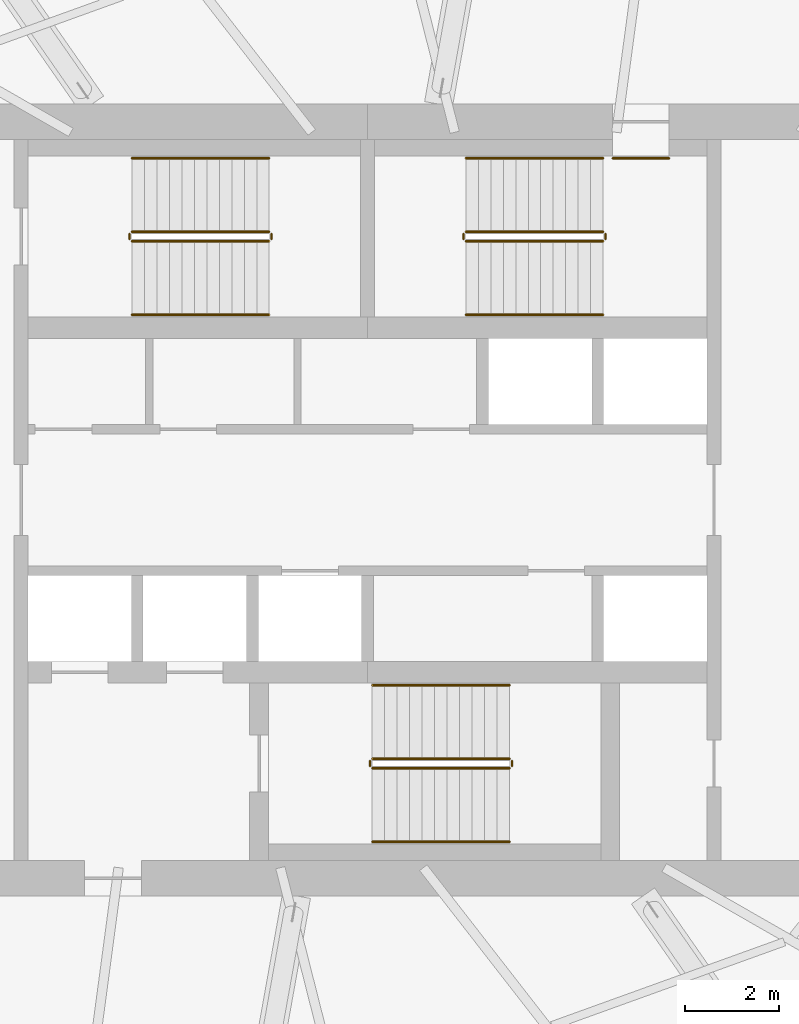
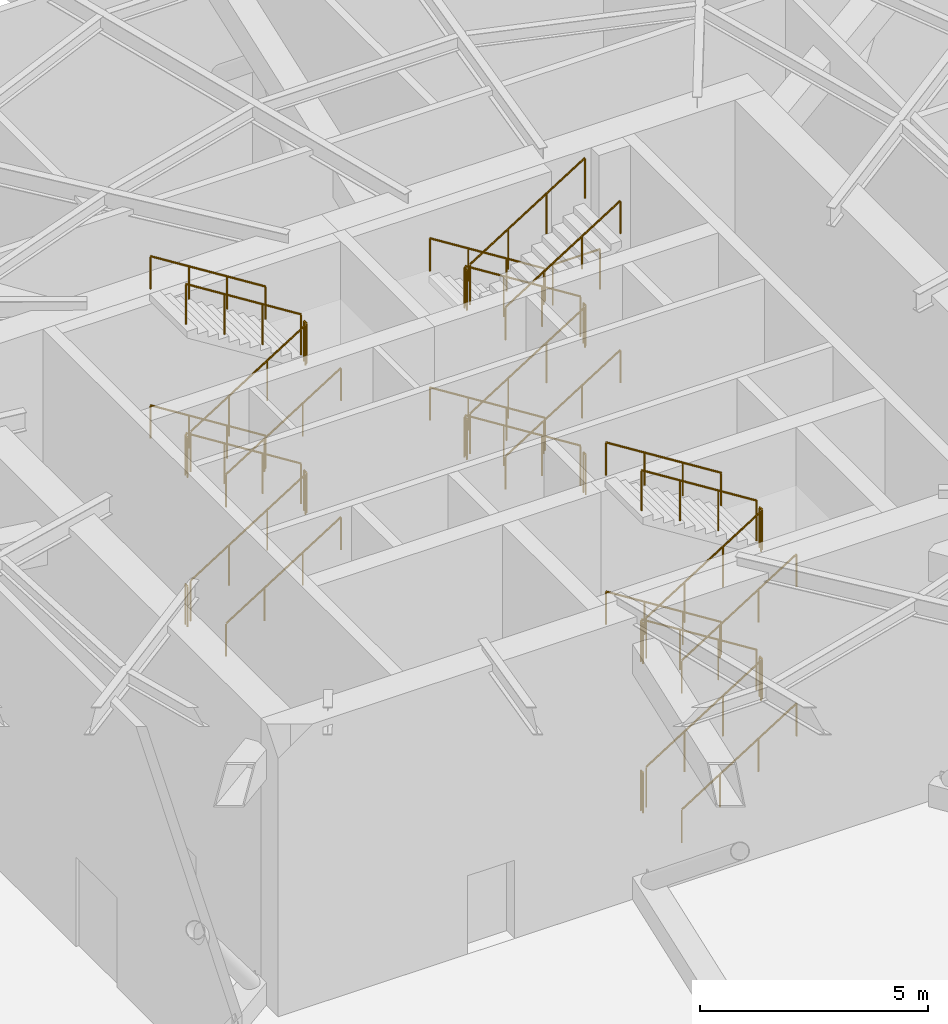
# One storey, part 14 of 15: 37 railings.
"""IFC4 building model written with IfcOpenShell, lengths in metres."""

from ifc_helpers import new_model, si_unit, direction, frame, origin, origin_2d, place, context, subcontext, project, spatial, circle, extrude, material, type_object, element, save


model = new_model("IFC4")

# Units and contexts
model_context = context("Model", 3, precision=1e-05, world=origin(), true_north=direction((0.0, 1.0)))
body_context = subcontext(model_context, "Body", "Model", "MODEL_VIEW")
ifc_project = project(units=[si_unit("LENGTHUNIT", "METRE"), si_unit("AREAUNIT", "SQUARE_METRE"), si_unit("VOLUMEUNIT", "CUBIC_METRE"), si_unit("PLANEANGLEUNIT", "RADIAN"), si_unit("MASSUNIT", "GRAM", prefix="KILO")], contexts=[model_context])

# Site, building, storey
site_placement = place(None, origin())
site = spatial("IfcSite", under=ifc_project, at=site_placement, CompositionType="ELEMENT")
building_placement = place(site_placement, origin())
building = spatial("IfcBuilding", under=site, at=building_placement, Name="Vermilion Reach Broadcast Tower", CompositionType="ELEMENT")
storey_placement = place(building_placement, frame((0.0, 0.0, 246.10009765625)))
storey = spatial("IfcBuildingStorey", under=building, at=storey_placement, Name="L61", CompositionType="ELEMENT", Elevation=246.10009765625)

# Railings
ifc_material_1 = material(Name="Stainless steel", Category="steel")
railing_type_1 = type_object("IfcRailingType", Name="Stair guard 1100", PredefinedType="GUARDRAIL", material=ifc_material_1)
railing_1_placement = place(storey_placement, frame((-11.0, 5.489990234375, 0.16650390625)))
element("IfcRailing", 1, at=railing_1_placement, inside=storey, type_object=railing_type_1, Name="L61 ST1 stair guard 1", PredefinedType="GUARDRAIL", context=body_context, shape_type="SweptSolid", body=[
    extrude(circle(Radius=0.02392578125, at=origin_2d()), frame((0.0, 0.0, 1.076171875), z_axis=(0.846481366506, 0.0, 0.53241834694), x_axis=(0.0, 1.0, 0.0)), (0.0, 0.0, 1.0), 3.443603515625),
    extrude(circle(Radius=0.02099609375, at=origin_2d()), origin(), (0.0, 0.0, 1.0), 1.052001953125),
    extrude(circle(Radius=0.02099609375, at=origin_2d()), frame((0.9716796875, 0.0, 0.611083984375)), (0.0, 0.0, 1.0), 1.052001953125),
    extrude(circle(Radius=0.02099609375, at=origin_2d()), frame((1.943359375, 0.0, 1.222412109375)), (0.0, 0.0, 1.0), 1.052001953125),
    extrude(circle(Radius=0.02099609375, at=origin_2d()), frame((2.9150390625, 0.0, 1.83349609375)), (0.0, 0.0, 1.0), 1.052001953125),
])
railing_2_placement = place(storey_placement, frame((-8.034912109375, 5.5400390625, 2.0)))
element("IfcRailing", 2, at=railing_2_placement, inside=storey, type_object=railing_type_1, Name="L61 ST1 stair guard 2", PredefinedType="GUARDRAIL", context=body_context, shape_type="SweptSolid", body=[
    extrude(circle(Radius=0.02392578125, at=origin_2d()), frame((0.0, 0.0, 1.076171875), z_axis=(0.0, 1.0, 0.0), x_axis=(-1.0, 0.0, 0.0)), (0.0, 0.0, 1.0), 0.099853515625),
    extrude(circle(Radius=0.02099609375, at=origin_2d()), origin(), (0.0, 0.0, 1.0), 1.052001953125),
    extrude(circle(Radius=0.02099609375, at=origin_2d()), frame((0.0, 0.099853515625, 0.0)), (0.0, 0.0, 1.0), 1.052001953125),
])
railing_3_placement = place(storey_placement, frame((-8.0849609375, 5.68994140625, 2.16650390625)))
element("IfcRailing", 3, at=railing_3_placement, inside=storey, type_object=railing_type_1, Name="L61 ST1 stair guard 3", PredefinedType="GUARDRAIL", context=body_context, shape_type="SweptSolid", body=[
    extrude(circle(Radius=0.02392578125, at=origin_2d()), frame((0.0, 0.0, 1.076171875), z_axis=(-0.846481366506, 0.0, 0.53241834694), x_axis=(0.0, -1.0, 0.0)), (0.0, 0.0, 1.0), 3.443603515625),
    extrude(circle(Radius=0.02099609375, at=origin_2d()), origin(), (0.0, 0.0, 1.0), 1.052001953125),
    extrude(circle(Radius=0.02099609375, at=origin_2d()), frame((-0.9716796875, 0.0, 0.611083984375)), (0.0, 0.0, 1.0), 1.052001953125),
    extrude(circle(Radius=0.02099609375, at=origin_2d()), frame((-1.943359375, 0.0, 1.222412109375)), (0.0, 0.0, 1.0), 1.052001953125),
    extrude(circle(Radius=0.02099609375, at=origin_2d()), frame((-2.9150390625, 0.0, 1.83349609375)), (0.0, 0.0, 1.0), 1.052001953125),
])
railing_4_placement = place(storey_placement, frame((-11.050048828125, 5.5400390625, 4.0)))
element("IfcRailing", 4, at=railing_4_placement, inside=storey, type_object=railing_type_1, Name="L61 ST1 stair guard 4", PredefinedType="GUARDRAIL", context=body_context, shape_type="SweptSolid", body=[
    extrude(circle(Radius=0.02392578125, at=origin_2d()), frame((0.0, 0.0, 1.076171875), z_axis=(0.0, 1.0, 0.0), x_axis=(-1.0, 0.0, 0.0)), (0.0, 0.0, 1.0), 0.099853515625),
    extrude(circle(Radius=0.02099609375, at=origin_2d()), origin(), (0.0, 0.0, 1.0), 1.052001953125),
    extrude(circle(Radius=0.02099609375, at=origin_2d()), frame((0.0, 0.099853515625, 0.0)), (0.0, 0.0, 1.0), 1.052001953125),
])
railing_5_placement = place(storey_placement, frame((-11.0, 5.489990234375, 4.16650390625)))
element("IfcRailing", 5, at=railing_5_placement, inside=storey, type_object=railing_type_1, Name="L61 ST1 stair guard 5", PredefinedType="GUARDRAIL", context=body_context, shape_type="SweptSolid", body=[
    extrude(circle(Radius=0.02392578125, at=origin_2d()), frame((0.0, 0.0, 1.076171875), z_axis=(0.846481366506, 0.0, 0.53241834694), x_axis=(0.0, 1.0, 0.0)), (0.0, 0.0, 1.0), 3.443603515625),
    extrude(circle(Radius=0.02099609375, at=origin_2d()), origin(), (0.0, 0.0, 1.0), 1.052001953125),
    extrude(circle(Radius=0.02099609375, at=origin_2d()), frame((0.9716796875, 0.0, 0.611083984375)), (0.0, 0.0, 1.0), 1.052001953125),
    extrude(circle(Radius=0.02099609375, at=origin_2d()), frame((1.943359375, 0.0, 1.222412109375)), (0.0, 0.0, 1.0), 1.052001953125),
    extrude(circle(Radius=0.02099609375, at=origin_2d()), frame((2.9150390625, 0.0, 1.83349609375)), (0.0, 0.0, 1.0), 1.052001953125),
])
railing_6_placement = place(storey_placement, frame((-8.034912109375, 5.5400390625, 6.0)))
element("IfcRailing", 6, at=railing_6_placement, inside=storey, type_object=railing_type_1, Name="L61 ST1 stair guard 6", PredefinedType="GUARDRAIL", context=body_context, shape_type="SweptSolid", body=[
    extrude(circle(Radius=0.02392578125, at=origin_2d()), frame((0.0, 0.0, 1.076171875), z_axis=(0.0, 1.0, 0.0), x_axis=(-1.0, 0.0, 0.0)), (0.0, 0.0, 1.0), 0.099853515625),
    extrude(circle(Radius=0.02099609375, at=origin_2d()), origin(), (0.0, 0.0, 1.0), 1.052001953125),
    extrude(circle(Radius=0.02099609375, at=origin_2d()), frame((0.0, 0.099853515625, 0.0)), (0.0, 0.0, 1.0), 1.052001953125),
])
railing_7_placement = place(storey_placement, frame((-8.0849609375, 5.68994140625, 6.16650390625)))
element("IfcRailing", 7, at=railing_7_placement, inside=storey, type_object=railing_type_1, Name="L61 ST1 stair guard 7", PredefinedType="GUARDRAIL", context=body_context, shape_type="SweptSolid", body=[
    extrude(circle(Radius=0.02392578125, at=origin_2d()), frame((0.0, 0.0, 1.076171875), z_axis=(-0.846481366506, 0.0, 0.53241834694), x_axis=(0.0, -1.0, 0.0)), (0.0, 0.0, 1.0), 3.443603515625),
    extrude(circle(Radius=0.02099609375, at=origin_2d()), origin(), (0.0, 0.0, 1.0), 1.052001953125),
    extrude(circle(Radius=0.02099609375, at=origin_2d()), frame((-0.9716796875, 0.0, 0.611083984375)), (0.0, 0.0, 1.0), 1.052001953125),
    extrude(circle(Radius=0.02099609375, at=origin_2d()), frame((-1.943359375, 0.0, 1.222412109375)), (0.0, 0.0, 1.0), 1.052001953125),
    extrude(circle(Radius=0.02099609375, at=origin_2d()), frame((-2.9150390625, 0.0, 1.83349609375)), (0.0, 0.0, 1.0), 1.052001953125),
])
railing_8_placement = place(storey_placement, frame((-11.050048828125, 5.5400390625, 0.0)))
element("IfcRailing", 8, at=railing_8_placement, inside=storey, type_object=railing_type_1, Name="L61 ST1 stair guard 8", PredefinedType="GUARDRAIL", context=body_context, shape_type="SweptSolid", body=[
    extrude(circle(Radius=0.02392578125, at=origin_2d()), frame((0.0, 0.0, 1.076171875), z_axis=(0.0, 1.0, 0.0), x_axis=(-1.0, 0.0, 0.0)), (0.0, 0.0, 1.0), 0.099853515625),
    extrude(circle(Radius=0.02099609375, at=origin_2d()), origin(), (0.0, 0.0, 1.0), 1.052001953125),
    extrude(circle(Radius=0.02099609375, at=origin_2d()), frame((0.0, 0.099853515625, 0.0)), (0.0, 0.0, 1.0), 1.052001953125),
])
railing_9_placement = place(storey_placement, frame((-1.0, 5.68994140625, 0.16650390625)))
element("IfcRailing", 9, at=railing_9_placement, inside=storey, type_object=railing_type_1, Name="L61 ST2 stair guard 1", PredefinedType="GUARDRAIL", context=body_context, shape_type="SweptSolid", body=[
    extrude(circle(Radius=0.02392578125, at=origin_2d()), frame((0.0, 0.0, 1.076171875), z_axis=(-0.846481366506, 0.0, 0.53241834694), x_axis=(0.0, -1.0, 0.0)), (0.0, 0.0, 1.0), 3.443603515625),
    extrude(circle(Radius=0.02099609375, at=origin_2d()), origin(), (0.0, 0.0, 1.0), 1.052001953125),
    extrude(circle(Radius=0.02099609375, at=origin_2d()), frame((-0.9716796875, 0.0, 0.611083984375)), (0.0, 0.0, 1.0), 1.052001953125),
    extrude(circle(Radius=0.02099609375, at=origin_2d()), frame((-1.943359375, 0.0, 1.222412109375)), (0.0, 0.0, 1.0), 1.052001953125),
    extrude(circle(Radius=0.02099609375, at=origin_2d()), frame((-2.9150390625, 0.0, 1.83349609375)), (0.0, 0.0, 1.0), 1.052001953125),
])
railing_10_placement = place(storey_placement, frame((-3.965087890625, 5.639892578125, 2.0)))
element("IfcRailing", 10, at=railing_10_placement, inside=storey, type_object=railing_type_1, Name="L61 ST2 stair guard 2", PredefinedType="GUARDRAIL", context=body_context, shape_type="SweptSolid", body=[
    extrude(circle(Radius=0.02392578125, at=origin_2d()), frame((0.0, 0.0, 1.076171875), z_axis=(0.0, -1.0, 0.0), x_axis=(1.0, 0.0, 0.0)), (0.0, 0.0, 1.0), 0.099853515625),
    extrude(circle(Radius=0.02099609375, at=origin_2d()), origin(), (0.0, 0.0, 1.0), 1.052001953125),
    extrude(circle(Radius=0.02099609375, at=origin_2d()), frame((0.0, -0.099853515625, 0.0)), (0.0, 0.0, 1.0), 1.052001953125),
])
railing_11_placement = place(storey_placement, frame((-3.9150390625, 5.489990234375, 2.16650390625)))
element("IfcRailing", 11, at=railing_11_placement, inside=storey, type_object=railing_type_1, Name="L61 ST2 stair guard 3", PredefinedType="GUARDRAIL", context=body_context, shape_type="SweptSolid", body=[
    extrude(circle(Radius=0.02392578125, at=origin_2d()), frame((0.0, 0.0, 1.076171875), z_axis=(0.846481366506, 0.0, 0.53241834694), x_axis=(0.0, 1.0, 0.0)), (0.0, 0.0, 1.0), 3.443603515625),
    extrude(circle(Radius=0.02099609375, at=origin_2d()), origin(), (0.0, 0.0, 1.0), 1.052001953125),
    extrude(circle(Radius=0.02099609375, at=origin_2d()), frame((0.9716796875, 0.0, 0.611083984375)), (0.0, 0.0, 1.0), 1.052001953125),
    extrude(circle(Radius=0.02099609375, at=origin_2d()), frame((1.943359375, 0.0, 1.222412109375)), (0.0, 0.0, 1.0), 1.052001953125),
    extrude(circle(Radius=0.02099609375, at=origin_2d()), frame((2.9150390625, 0.0, 1.83349609375)), (0.0, 0.0, 1.0), 1.052001953125),
])
railing_12_placement = place(storey_placement, frame((-0.949951171875, 5.639892578125, 4.0)))
element("IfcRailing", 12, at=railing_12_placement, inside=storey, type_object=railing_type_1, Name="L61 ST2 stair guard 4", PredefinedType="GUARDRAIL", context=body_context, shape_type="SweptSolid", body=[
    extrude(circle(Radius=0.02392578125, at=origin_2d()), frame((0.0, 0.0, 1.076171875), z_axis=(0.0, -1.0, 0.0), x_axis=(1.0, 0.0, 0.0)), (0.0, 0.0, 1.0), 0.099853515625),
    extrude(circle(Radius=0.02099609375, at=origin_2d()), origin(), (0.0, 0.0, 1.0), 1.052001953125),
    extrude(circle(Radius=0.02099609375, at=origin_2d()), frame((0.0, -0.099853515625, 0.0)), (0.0, 0.0, 1.0), 1.052001953125),
])
railing_13_placement = place(storey_placement, frame((-1.0, 5.68994140625, 4.16650390625)))
element("IfcRailing", 13, at=railing_13_placement, inside=storey, type_object=railing_type_1, Name="L61 ST2 stair guard 5", PredefinedType="GUARDRAIL", context=body_context, shape_type="SweptSolid", body=[
    extrude(circle(Radius=0.02392578125, at=origin_2d()), frame((0.0, 0.0, 1.076171875), z_axis=(-0.846481366506, 0.0, 0.53241834694), x_axis=(0.0, -1.0, 0.0)), (0.0, 0.0, 1.0), 3.443603515625),
    extrude(circle(Radius=0.02099609375, at=origin_2d()), origin(), (0.0, 0.0, 1.0), 1.052001953125),
    extrude(circle(Radius=0.02099609375, at=origin_2d()), frame((-0.9716796875, 0.0, 0.611083984375)), (0.0, 0.0, 1.0), 1.052001953125),
    extrude(circle(Radius=0.02099609375, at=origin_2d()), frame((-1.943359375, 0.0, 1.222412109375)), (0.0, 0.0, 1.0), 1.052001953125),
    extrude(circle(Radius=0.02099609375, at=origin_2d()), frame((-2.9150390625, 0.0, 1.83349609375)), (0.0, 0.0, 1.0), 1.052001953125),
])
railing_14_placement = place(storey_placement, frame((-3.965087890625, 5.639892578125, 6.0)))
element("IfcRailing", 14, at=railing_14_placement, inside=storey, type_object=railing_type_1, Name="L61 ST2 stair guard 6", PredefinedType="GUARDRAIL", context=body_context, shape_type="SweptSolid", body=[
    extrude(circle(Radius=0.02392578125, at=origin_2d()), frame((0.0, 0.0, 1.076171875), z_axis=(0.0, -1.0, 0.0), x_axis=(1.0, 0.0, 0.0)), (0.0, 0.0, 1.0), 0.099853515625),
    extrude(circle(Radius=0.02099609375, at=origin_2d()), origin(), (0.0, 0.0, 1.0), 1.052001953125),
    extrude(circle(Radius=0.02099609375, at=origin_2d()), frame((0.0, -0.099853515625, 0.0)), (0.0, 0.0, 1.0), 1.052001953125),
])
railing_15_placement = place(storey_placement, frame((-3.9150390625, 5.489990234375, 6.16650390625)))
element("IfcRailing", 15, at=railing_15_placement, inside=storey, type_object=railing_type_1, Name="L61 ST2 stair guard 7", PredefinedType="GUARDRAIL", context=body_context, shape_type="SweptSolid", body=[
    extrude(circle(Radius=0.02392578125, at=origin_2d()), frame((0.0, 0.0, 1.076171875), z_axis=(0.846481366506, 0.0, 0.53241834694), x_axis=(0.0, 1.0, 0.0)), (0.0, 0.0, 1.0), 3.443603515625),
    extrude(circle(Radius=0.02099609375, at=origin_2d()), origin(), (0.0, 0.0, 1.0), 1.052001953125),
    extrude(circle(Radius=0.02099609375, at=origin_2d()), frame((0.9716796875, 0.0, 0.611083984375)), (0.0, 0.0, 1.0), 1.052001953125),
    extrude(circle(Radius=0.02099609375, at=origin_2d()), frame((1.943359375, 0.0, 1.222412109375)), (0.0, 0.0, 1.0), 1.052001953125),
    extrude(circle(Radius=0.02099609375, at=origin_2d()), frame((2.9150390625, 0.0, 1.83349609375)), (0.0, 0.0, 1.0), 1.052001953125),
])
railing_16_placement = place(storey_placement, frame((-0.949951171875, 5.639892578125, 0.0)))
element("IfcRailing", 16, at=railing_16_placement, inside=storey, type_object=railing_type_1, Name="L61 ST2 stair guard 8", PredefinedType="GUARDRAIL", context=body_context, shape_type="SweptSolid", body=[
    extrude(circle(Radius=0.02392578125, at=origin_2d()), frame((0.0, 0.0, 1.076171875), z_axis=(0.0, -1.0, 0.0), x_axis=(1.0, 0.0, 0.0)), (0.0, 0.0, 1.0), 0.099853515625),
    extrude(circle(Radius=0.02099609375, at=origin_2d()), origin(), (0.0, 0.0, 1.0), 1.052001953125),
    extrude(circle(Radius=0.02099609375, at=origin_2d()), frame((0.0, -0.099853515625, 0.0)), (0.0, 0.0, 1.0), 1.052001953125),
])
railing_17_placement = place(storey_placement, frame((-0.800048828125, 7.25, 4.0)))
element("IfcRailing", 17, at=railing_17_placement, inside=storey, type_object=railing_type_1, Name="L61 ST2 doorway guard", PredefinedType="GUARDRAIL", context=body_context, shape_type="SweptSolid", body=[
    extrude(circle(Radius=0.02392578125, at=origin_2d()), frame((0.0, 0.0, 1.076171875), z_axis=(1.0, 0.0, 0.0), x_axis=(0.0, 1.0, 0.0)), (0.0, 0.0, 1.0), 1.199951171875),
    extrude(circle(Radius=0.02099609375, at=origin_2d()), origin(), (0.0, 0.0, 1.0), 1.052001953125),
    extrude(circle(Radius=0.02099609375, at=origin_2d()), frame((1.199951171875, 0.0, 0.0)), (0.0, 0.0, 1.0), 1.052001953125),
])
railing_18_placement = place(storey_placement, frame((-5.89990234375, -5.68994140625, 0.16650390625)))
element("IfcRailing", 18, at=railing_18_placement, inside=storey, type_object=railing_type_1, Name="L61 ST3 stair guard 1", PredefinedType="GUARDRAIL", context=body_context, shape_type="SweptSolid", body=[
    extrude(circle(Radius=0.02392578125, at=origin_2d()), frame((0.0, 0.0, 1.076171875), z_axis=(0.846461268258, 0.0, 0.532450299407), x_axis=(0.0, 1.0, 0.0)), (0.0, 0.0, 1.0), 3.443603515625),
    extrude(circle(Radius=0.02099609375, at=origin_2d()), origin(), (0.0, 0.0, 1.0), 1.052001953125),
    extrude(circle(Radius=0.02099609375, at=origin_2d()), frame((0.9716796875, 0.0, 0.611083984375)), (0.0, 0.0, 1.0), 1.052001953125),
    extrude(circle(Radius=0.02099609375, at=origin_2d()), frame((1.943115234375, 0.0, 1.222412109375)), (0.0, 0.0, 1.0), 1.052001953125),
    extrude(circle(Radius=0.02099609375, at=origin_2d()), frame((2.914794921875, 0.0, 1.83349609375)), (0.0, 0.0, 1.0), 1.052001953125),
])
railing_19_placement = place(storey_placement, frame((-2.93505859375, -5.639892578125, 2.0)))
element("IfcRailing", 19, at=railing_19_placement, inside=storey, type_object=railing_type_1, Name="L61 ST3 stair guard 2", PredefinedType="GUARDRAIL", context=body_context, shape_type="SweptSolid", body=[
    extrude(circle(Radius=0.02392578125, at=origin_2d()), frame((0.0, 0.0, 1.076171875), z_axis=(0.0, 1.0, 0.0), x_axis=(-1.0, 0.0, 0.0)), (0.0, 0.0, 1.0), 0.099853515625),
    extrude(circle(Radius=0.02099609375, at=origin_2d()), origin(), (0.0, 0.0, 1.0), 1.052001953125),
    extrude(circle(Radius=0.02099609375, at=origin_2d()), frame((0.0, 0.099853515625, 0.0)), (0.0, 0.0, 1.0), 1.052001953125),
])
railing_20_placement = place(storey_placement, frame((-2.985107421875, -5.489990234375, 2.16650390625)))
element("IfcRailing", 20, at=railing_20_placement, inside=storey, type_object=railing_type_1, Name="L61 ST3 stair guard 3", PredefinedType="GUARDRAIL", context=body_context, shape_type="SweptSolid", body=[
    extrude(circle(Radius=0.02392578125, at=origin_2d()), frame((0.0, 0.0, 1.076171875), z_axis=(-0.846461268258, 0.0, 0.532450299407), x_axis=(0.0, -1.0, 0.0)), (0.0, 0.0, 1.0), 3.443603515625),
    extrude(circle(Radius=0.02099609375, at=origin_2d()), origin(), (0.0, 0.0, 1.0), 1.052001953125),
    extrude(circle(Radius=0.02099609375, at=origin_2d()), frame((-0.9716796875, 0.0, 0.611083984375)), (0.0, 0.0, 1.0), 1.052001953125),
    extrude(circle(Radius=0.02099609375, at=origin_2d()), frame((-1.943115234375, 0.0, 1.222412109375)), (0.0, 0.0, 1.0), 1.052001953125),
    extrude(circle(Radius=0.02099609375, at=origin_2d()), frame((-2.914794921875, 0.0, 1.83349609375)), (0.0, 0.0, 1.0), 1.052001953125),
])
railing_21_placement = place(storey_placement, frame((-5.949951171875, -5.639892578125, 4.0)))
element("IfcRailing", 21, at=railing_21_placement, inside=storey, type_object=railing_type_1, Name="L61 ST3 stair guard 4", PredefinedType="GUARDRAIL", context=body_context, shape_type="SweptSolid", body=[
    extrude(circle(Radius=0.02392578125, at=origin_2d()), frame((0.0, 0.0, 1.076171875), z_axis=(0.0, 1.0, 0.0), x_axis=(-1.0, 0.0, 0.0)), (0.0, 0.0, 1.0), 0.099853515625),
    extrude(circle(Radius=0.02099609375, at=origin_2d()), origin(), (0.0, 0.0, 1.0), 1.052001953125),
    extrude(circle(Radius=0.02099609375, at=origin_2d()), frame((0.0, 0.099853515625, 0.0)), (0.0, 0.0, 1.0), 1.052001953125),
])
railing_22_placement = place(storey_placement, frame((-5.89990234375, -5.68994140625, 4.16650390625)))
element("IfcRailing", 22, at=railing_22_placement, inside=storey, type_object=railing_type_1, Name="L61 ST3 stair guard 5", PredefinedType="GUARDRAIL", context=body_context, shape_type="SweptSolid", body=[
    extrude(circle(Radius=0.02392578125, at=origin_2d()), frame((0.0, 0.0, 1.076171875), z_axis=(0.846461268258, 0.0, 0.532450299407), x_axis=(0.0, 1.0, 0.0)), (0.0, 0.0, 1.0), 3.443603515625),
    extrude(circle(Radius=0.02099609375, at=origin_2d()), origin(), (0.0, 0.0, 1.0), 1.052001953125),
    extrude(circle(Radius=0.02099609375, at=origin_2d()), frame((0.9716796875, 0.0, 0.611083984375)), (0.0, 0.0, 1.0), 1.052001953125),
    extrude(circle(Radius=0.02099609375, at=origin_2d()), frame((1.943115234375, 0.0, 1.222412109375)), (0.0, 0.0, 1.0), 1.052001953125),
    extrude(circle(Radius=0.02099609375, at=origin_2d()), frame((2.914794921875, 0.0, 1.83349609375)), (0.0, 0.0, 1.0), 1.052001953125),
])
railing_23_placement = place(storey_placement, frame((-2.93505859375, -5.639892578125, 6.0)))
element("IfcRailing", 23, at=railing_23_placement, inside=storey, type_object=railing_type_1, Name="L61 ST3 stair guard 6", PredefinedType="GUARDRAIL", context=body_context, shape_type="SweptSolid", body=[
    extrude(circle(Radius=0.02392578125, at=origin_2d()), frame((0.0, 0.0, 1.076171875), z_axis=(0.0, 1.0, 0.0), x_axis=(-1.0, 0.0, 0.0)), (0.0, 0.0, 1.0), 0.099853515625),
    extrude(circle(Radius=0.02099609375, at=origin_2d()), origin(), (0.0, 0.0, 1.0), 1.052001953125),
    extrude(circle(Radius=0.02099609375, at=origin_2d()), frame((0.0, 0.099853515625, 0.0)), (0.0, 0.0, 1.0), 1.052001953125),
])
railing_24_placement = place(storey_placement, frame((-2.985107421875, -5.489990234375, 6.16650390625)))
element("IfcRailing", 24, at=railing_24_placement, inside=storey, type_object=railing_type_1, Name="L61 ST3 stair guard 7", PredefinedType="GUARDRAIL", context=body_context, shape_type="SweptSolid", body=[
    extrude(circle(Radius=0.02392578125, at=origin_2d()), frame((0.0, 0.0, 1.076171875), z_axis=(-0.846461268258, 0.0, 0.532450299407), x_axis=(0.0, -1.0, 0.0)), (0.0, 0.0, 1.0), 3.443603515625),
    extrude(circle(Radius=0.02099609375, at=origin_2d()), origin(), (0.0, 0.0, 1.0), 1.052001953125),
    extrude(circle(Radius=0.02099609375, at=origin_2d()), frame((-0.9716796875, 0.0, 0.611083984375)), (0.0, 0.0, 1.0), 1.052001953125),
    extrude(circle(Radius=0.02099609375, at=origin_2d()), frame((-1.943115234375, 0.0, 1.222412109375)), (0.0, 0.0, 1.0), 1.052001953125),
    extrude(circle(Radius=0.02099609375, at=origin_2d()), frame((-2.914794921875, 0.0, 1.83349609375)), (0.0, 0.0, 1.0), 1.052001953125),
])
railing_25_placement = place(storey_placement, frame((-5.949951171875, -5.639892578125, 0.0)))
element("IfcRailing", 25, at=railing_25_placement, inside=storey, type_object=railing_type_1, Name="L61 ST3 stair guard 8", PredefinedType="GUARDRAIL", context=body_context, shape_type="SweptSolid", body=[
    extrude(circle(Radius=0.02392578125, at=origin_2d()), frame((0.0, 0.0, 1.076171875), z_axis=(0.0, 1.0, 0.0), x_axis=(-1.0, 0.0, 0.0)), (0.0, 0.0, 1.0), 0.099853515625),
    extrude(circle(Radius=0.02099609375, at=origin_2d()), origin(), (0.0, 0.0, 1.0), 1.052001953125),
    extrude(circle(Radius=0.02099609375, at=origin_2d()), frame((0.0, 0.099853515625, 0.0)), (0.0, 0.0, 1.0), 1.052001953125),
])
ifc_material_2 = material(Name="Stainless steel", Category="steel")
railing_type_2 = type_object("IfcRailingType", Name="Stair handrail", PredefinedType="HANDRAIL", material=ifc_material_2)
railing_26_placement = place(storey_placement, frame((-11.0, 3.929931640625, 0.16650390625)))
element("IfcRailing", 26, at=railing_26_placement, inside=storey, type_object=railing_type_2, Name="L61 ST1 stair handrail 1", PredefinedType="HANDRAIL", context=body_context, shape_type="SweptSolid", body=[
    extrude(circle(Radius=0.02392578125, at=origin_2d()), frame((0.0, 0.0, 0.8759765625), z_axis=(0.846481366506, 0.0, 0.53241834694), x_axis=(0.0, 1.0, 0.0)), (0.0, 0.0, 1.0), 3.443603515625),
    extrude(circle(Radius=0.02099609375, at=origin_2d()), origin(), (0.0, 0.0, 1.0), 0.851806640625),
    extrude(circle(Radius=0.02099609375, at=origin_2d()), frame((0.9716796875, 0.0, 0.611083984375)), (0.0, 0.0, 1.0), 0.851806640625),
    extrude(circle(Radius=0.02099609375, at=origin_2d()), frame((1.943359375, 0.0, 1.222412109375)), (0.0, 0.0, 1.0), 0.851806640625),
    extrude(circle(Radius=0.02099609375, at=origin_2d()), frame((2.9150390625, 0.0, 1.83349609375)), (0.0, 0.0, 1.0), 0.851806640625),
])
railing_27_placement = place(storey_placement, frame((-8.0849609375, 7.25, 2.16650390625)))
element("IfcRailing", 27, at=railing_27_placement, inside=storey, type_object=railing_type_2, Name="L61 ST1 stair handrail 2", PredefinedType="HANDRAIL", context=body_context, shape_type="SweptSolid", body=[
    extrude(circle(Radius=0.02392578125, at=origin_2d()), frame((0.0, 0.0, 0.8759765625), z_axis=(-0.846481366506, 0.0, 0.53241834694), x_axis=(0.0, -1.0, 0.0)), (0.0, 0.0, 1.0), 3.443603515625),
    extrude(circle(Radius=0.02099609375, at=origin_2d()), origin(), (0.0, 0.0, 1.0), 0.851806640625),
    extrude(circle(Radius=0.02099609375, at=origin_2d()), frame((-0.9716796875, 0.0, 0.611083984375)), (0.0, 0.0, 1.0), 0.851806640625),
    extrude(circle(Radius=0.02099609375, at=origin_2d()), frame((-1.943359375, 0.0, 1.222412109375)), (0.0, 0.0, 1.0), 0.851806640625),
    extrude(circle(Radius=0.02099609375, at=origin_2d()), frame((-2.9150390625, 0.0, 1.83349609375)), (0.0, 0.0, 1.0), 0.851806640625),
])
railing_28_placement = place(storey_placement, frame((-11.0, 3.929931640625, 4.16650390625)))
element("IfcRailing", 28, at=railing_28_placement, inside=storey, type_object=railing_type_2, Name="L61 ST1 stair handrail 3", PredefinedType="HANDRAIL", context=body_context, shape_type="SweptSolid", body=[
    extrude(circle(Radius=0.02392578125, at=origin_2d()), frame((0.0, 0.0, 0.8759765625), z_axis=(0.846481366506, 0.0, 0.53241834694), x_axis=(0.0, 1.0, 0.0)), (0.0, 0.0, 1.0), 3.443603515625),
    extrude(circle(Radius=0.02099609375, at=origin_2d()), origin(), (0.0, 0.0, 1.0), 0.851806640625),
    extrude(circle(Radius=0.02099609375, at=origin_2d()), frame((0.9716796875, 0.0, 0.611083984375)), (0.0, 0.0, 1.0), 0.851806640625),
    extrude(circle(Radius=0.02099609375, at=origin_2d()), frame((1.943359375, 0.0, 1.222412109375)), (0.0, 0.0, 1.0), 0.851806640625),
    extrude(circle(Radius=0.02099609375, at=origin_2d()), frame((2.9150390625, 0.0, 1.83349609375)), (0.0, 0.0, 1.0), 0.851806640625),
])
for number, where, name in (
    (29, (-8.0849609375, 7.25, 6.16650390625), "L61 ST1 stair handrail 4"),
    (30, (-1.0, 7.25, 0.16650390625), "L61 ST2 stair handrail 1"),
):
    element("IfcRailing", number, at=place(storey_placement, frame(where)), inside=storey, type_object=railing_type_2, Name=name, PredefinedType="HANDRAIL", context=body_context, shape_type="SweptSolid", body=[
        extrude(circle(Radius=0.02392578125, at=origin_2d()), frame((0.0, 0.0, 0.8759765625), z_axis=(-0.846481366506, 0.0, 0.53241834694), x_axis=(0.0, -1.0, 0.0)), (0.0, 0.0, 1.0), 3.443603515625),
        extrude(circle(Radius=0.02099609375, at=origin_2d()), origin(), (0.0, 0.0, 1.0), 0.851806640625),
        extrude(circle(Radius=0.02099609375, at=origin_2d()), frame((-0.9716796875, 0.0, 0.611083984375)), (0.0, 0.0, 1.0), 0.851806640625),
        extrude(circle(Radius=0.02099609375, at=origin_2d()), frame((-1.943359375, 0.0, 1.222412109375)), (0.0, 0.0, 1.0), 0.851806640625),
        extrude(circle(Radius=0.02099609375, at=origin_2d()), frame((-2.9150390625, 0.0, 1.83349609375)), (0.0, 0.0, 1.0), 0.851806640625),
    ])
railing_29_placement = place(storey_placement, frame((-3.9150390625, 3.929931640625, 2.16650390625)))
element("IfcRailing", 31, at=railing_29_placement, inside=storey, type_object=railing_type_2, Name="L61 ST2 stair handrail 2", PredefinedType="HANDRAIL", context=body_context, shape_type="SweptSolid", body=[
    extrude(circle(Radius=0.02392578125, at=origin_2d()), frame((0.0, 0.0, 0.8759765625), z_axis=(0.846481366506, 0.0, 0.53241834694), x_axis=(0.0, 1.0, 0.0)), (0.0, 0.0, 1.0), 3.443603515625),
    extrude(circle(Radius=0.02099609375, at=origin_2d()), origin(), (0.0, 0.0, 1.0), 0.851806640625),
    extrude(circle(Radius=0.02099609375, at=origin_2d()), frame((0.9716796875, 0.0, 0.611083984375)), (0.0, 0.0, 1.0), 0.851806640625),
    extrude(circle(Radius=0.02099609375, at=origin_2d()), frame((1.943359375, 0.0, 1.222412109375)), (0.0, 0.0, 1.0), 0.851806640625),
    extrude(circle(Radius=0.02099609375, at=origin_2d()), frame((2.9150390625, 0.0, 1.83349609375)), (0.0, 0.0, 1.0), 0.851806640625),
])
railing_30_placement = place(storey_placement, frame((-1.0, 7.25, 4.16650390625)))
element("IfcRailing", 32, at=railing_30_placement, inside=storey, type_object=railing_type_2, Name="L61 ST2 stair handrail 3", PredefinedType="HANDRAIL", context=body_context, shape_type="SweptSolid", body=[
    extrude(circle(Radius=0.02392578125, at=origin_2d()), frame((0.0, 0.0, 0.8759765625), z_axis=(-0.846481366506, 0.0, 0.53241834694), x_axis=(0.0, -1.0, 0.0)), (0.0, 0.0, 1.0), 3.443603515625),
    extrude(circle(Radius=0.02099609375, at=origin_2d()), origin(), (0.0, 0.0, 1.0), 0.851806640625),
    extrude(circle(Radius=0.02099609375, at=origin_2d()), frame((-0.9716796875, 0.0, 0.611083984375)), (0.0, 0.0, 1.0), 0.851806640625),
    extrude(circle(Radius=0.02099609375, at=origin_2d()), frame((-1.943359375, 0.0, 1.222412109375)), (0.0, 0.0, 1.0), 0.851806640625),
    extrude(circle(Radius=0.02099609375, at=origin_2d()), frame((-2.9150390625, 0.0, 1.83349609375)), (0.0, 0.0, 1.0), 0.851806640625),
])
railing_31_placement = place(storey_placement, frame((-3.9150390625, 3.929931640625, 6.16650390625)))
element("IfcRailing", 33, at=railing_31_placement, inside=storey, type_object=railing_type_2, Name="L61 ST2 stair handrail 4", PredefinedType="HANDRAIL", context=body_context, shape_type="SweptSolid", body=[
    extrude(circle(Radius=0.02392578125, at=origin_2d()), frame((0.0, 0.0, 0.8759765625), z_axis=(0.846481366506, 0.0, 0.53241834694), x_axis=(0.0, 1.0, 0.0)), (0.0, 0.0, 1.0), 3.443603515625),
    extrude(circle(Radius=0.02099609375, at=origin_2d()), origin(), (0.0, 0.0, 1.0), 0.851806640625),
    extrude(circle(Radius=0.02099609375, at=origin_2d()), frame((0.9716796875, 0.0, 0.611083984375)), (0.0, 0.0, 1.0), 0.851806640625),
    extrude(circle(Radius=0.02099609375, at=origin_2d()), frame((1.943359375, 0.0, 1.222412109375)), (0.0, 0.0, 1.0), 0.851806640625),
    extrude(circle(Radius=0.02099609375, at=origin_2d()), frame((2.9150390625, 0.0, 1.83349609375)), (0.0, 0.0, 1.0), 0.851806640625),
])
railing_32_placement = place(storey_placement, frame((-5.89990234375, -7.25, 0.16650390625)))
element("IfcRailing", 34, at=railing_32_placement, inside=storey, type_object=railing_type_2, Name="L61 ST3 stair handrail 1", PredefinedType="HANDRAIL", context=body_context, shape_type="SweptSolid", body=[
    extrude(circle(Radius=0.02392578125, at=origin_2d()), frame((0.0, 0.0, 0.8759765625), z_axis=(0.846461268258, 0.0, 0.532450299407), x_axis=(0.0, 1.0, 0.0)), (0.0, 0.0, 1.0), 3.443603515625),
    extrude(circle(Radius=0.02099609375, at=origin_2d()), origin(), (0.0, 0.0, 1.0), 0.851806640625),
    extrude(circle(Radius=0.02099609375, at=origin_2d()), frame((0.9716796875, 0.0, 0.611083984375)), (0.0, 0.0, 1.0), 0.851806640625),
    extrude(circle(Radius=0.02099609375, at=origin_2d()), frame((1.943115234375, 0.0, 1.222412109375)), (0.0, 0.0, 1.0), 0.851806640625),
    extrude(circle(Radius=0.02099609375, at=origin_2d()), frame((2.914794921875, 0.0, 1.83349609375)), (0.0, 0.0, 1.0), 0.851806640625),
])
railing_33_placement = place(storey_placement, frame((-2.985107421875, -3.929931640625, 2.16650390625)))
element("IfcRailing", 35, at=railing_33_placement, inside=storey, type_object=railing_type_2, Name="L61 ST3 stair handrail 2", PredefinedType="HANDRAIL", context=body_context, shape_type="SweptSolid", body=[
    extrude(circle(Radius=0.02392578125, at=origin_2d()), frame((0.0, 0.0, 0.8759765625), z_axis=(-0.846461268258, 0.0, 0.532450299407), x_axis=(0.0, -1.0, 0.0)), (0.0, 0.0, 1.0), 3.443603515625),
    extrude(circle(Radius=0.02099609375, at=origin_2d()), origin(), (0.0, 0.0, 1.0), 0.851806640625),
    extrude(circle(Radius=0.02099609375, at=origin_2d()), frame((-0.9716796875, 0.0, 0.611083984375)), (0.0, 0.0, 1.0), 0.851806640625),
    extrude(circle(Radius=0.02099609375, at=origin_2d()), frame((-1.943115234375, 0.0, 1.222412109375)), (0.0, 0.0, 1.0), 0.851806640625),
    extrude(circle(Radius=0.02099609375, at=origin_2d()), frame((-2.914794921875, 0.0, 1.83349609375)), (0.0, 0.0, 1.0), 0.851806640625),
])
railing_34_placement = place(storey_placement, frame((-5.89990234375, -7.25, 4.16650390625)))
element("IfcRailing", 36, at=railing_34_placement, inside=storey, type_object=railing_type_2, Name="L61 ST3 stair handrail 3", PredefinedType="HANDRAIL", context=body_context, shape_type="SweptSolid", body=[
    extrude(circle(Radius=0.02392578125, at=origin_2d()), frame((0.0, 0.0, 0.8759765625), z_axis=(0.846461268258, 0.0, 0.532450299407), x_axis=(0.0, 1.0, 0.0)), (0.0, 0.0, 1.0), 3.443603515625),
    extrude(circle(Radius=0.02099609375, at=origin_2d()), origin(), (0.0, 0.0, 1.0), 0.851806640625),
    extrude(circle(Radius=0.02099609375, at=origin_2d()), frame((0.9716796875, 0.0, 0.611083984375)), (0.0, 0.0, 1.0), 0.851806640625),
    extrude(circle(Radius=0.02099609375, at=origin_2d()), frame((1.943115234375, 0.0, 1.222412109375)), (0.0, 0.0, 1.0), 0.851806640625),
    extrude(circle(Radius=0.02099609375, at=origin_2d()), frame((2.914794921875, 0.0, 1.83349609375)), (0.0, 0.0, 1.0), 0.851806640625),
])
railing_35_placement = place(storey_placement, frame((-2.985107421875, -3.929931640625, 6.16650390625)))
element("IfcRailing", 37, at=railing_35_placement, inside=storey, type_object=railing_type_2, Name="L61 ST3 stair handrail 4", PredefinedType="HANDRAIL", context=body_context, shape_type="SweptSolid", body=[
    extrude(circle(Radius=0.02392578125, at=origin_2d()), frame((0.0, 0.0, 0.8759765625), z_axis=(-0.846461268258, 0.0, 0.532450299407), x_axis=(0.0, -1.0, 0.0)), (0.0, 0.0, 1.0), 3.443603515625),
    extrude(circle(Radius=0.02099609375, at=origin_2d()), origin(), (0.0, 0.0, 1.0), 0.851806640625),
    extrude(circle(Radius=0.02099609375, at=origin_2d()), frame((-0.9716796875, 0.0, 0.611083984375)), (0.0, 0.0, 1.0), 0.851806640625),
    extrude(circle(Radius=0.02099609375, at=origin_2d()), frame((-1.943115234375, 0.0, 1.222412109375)), (0.0, 0.0, 1.0), 0.851806640625),
    extrude(circle(Radius=0.02099609375, at=origin_2d()), frame((-2.914794921875, 0.0, 1.83349609375)), (0.0, 0.0, 1.0), 0.851806640625),
])

save(model, "model.ifc")
